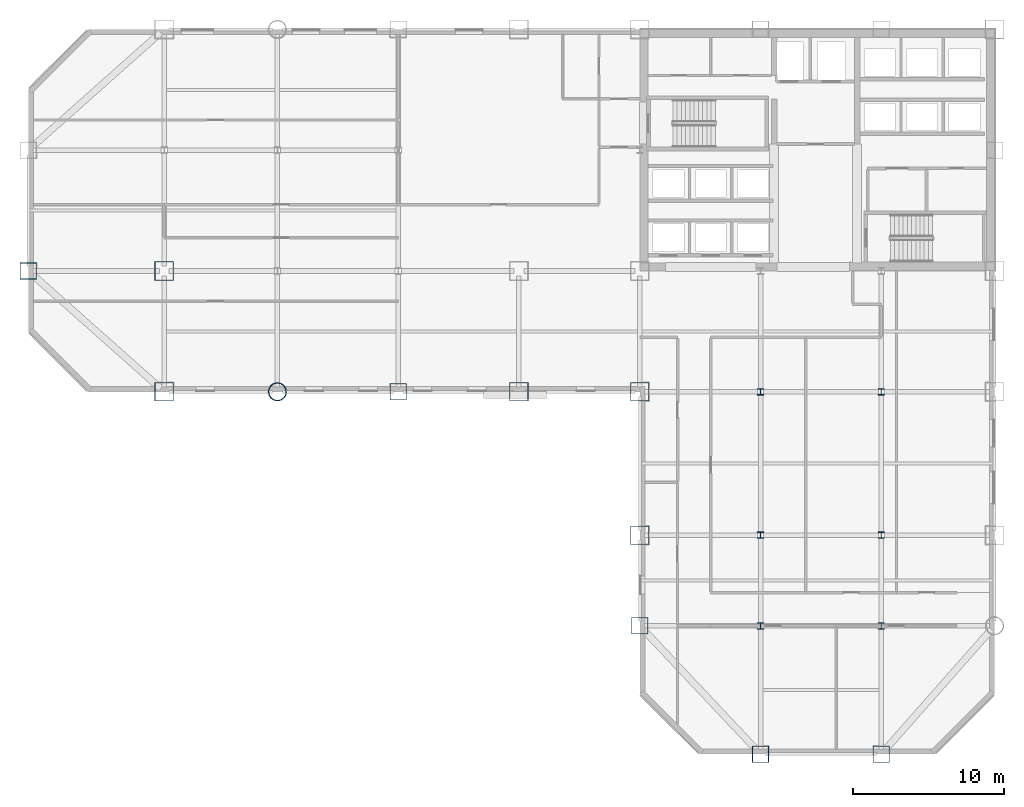
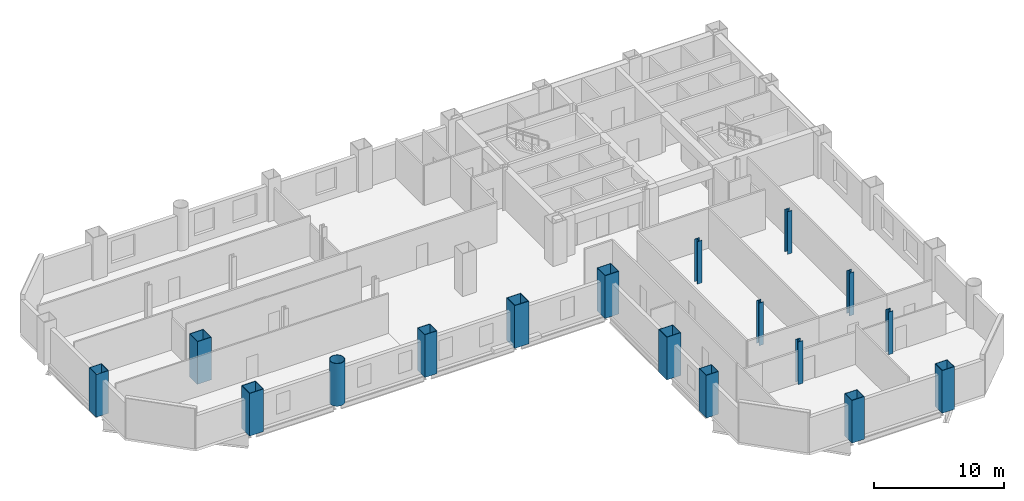
# One storey, part 1 of 9: 17 columns.
"""IFC4 building model written with IfcOpenShell, lengths in metres."""

from ifc_helpers import new_model, si_unit, direction, frame, origin, origin_2d, place, context, subcontext, project, spatial, hollow_rectangle, hollow_circle, i_section, extrude, material, material_profile, profile_set, type_object, element, save


model = new_model("IFC4")

# Units and contexts
model_context = context("Model", 3, precision=1e-05, world=origin(), true_north=direction((0.0, 1.0)))
body_context = subcontext(model_context, "Body", "Model", "MODEL_VIEW")
ifc_project = project(units=[si_unit("LENGTHUNIT", "METRE"), si_unit("AREAUNIT", "SQUARE_METRE"), si_unit("VOLUMEUNIT", "CUBIC_METRE"), si_unit("PLANEANGLEUNIT", "RADIAN"), si_unit("MASSUNIT", "GRAM", prefix="KILO")], contexts=[model_context])

# Site, building, storey
site_placement = place(None, origin())
site = spatial("IfcSite", under=ifc_project, at=site_placement, CompositionType="ELEMENT")
building_placement = place(site_placement, origin())
building = spatial("IfcBuilding", under=site, at=building_placement, Name="Qianrong Seaharbour Tower", CompositionType="ELEMENT")
storey_placement = place(building_placement, frame((0.0, 0.0, 68.199951171875)))
storey = spatial("IfcBuildingStorey", under=building, at=storey_placement, Name="L16", CompositionType="ELEMENT", Elevation=68.199951171875)

# Columns
ifc_material = material(Name="Structural steel SN490B", Category="steel")
ifc_material_profile_1 = material_profile(ifc_material, hollow_rectangle(XDim=1.25, YDim=1.25, WallThickness=0.044921875, at=origin_2d()), Name="BOX1250x1250x45")
ifc_profile_set_1 = profile_set([ifc_material_profile_1], Name="Structural steel SN490B")
column_type_1 = type_object("IfcColumnType", Name="COL-CFT-1250", PredefinedType="COLUMN", material=ifc_profile_set_1)
for number, where, z_axis, x_axis, name in (
    (1, (9.0, 28.0, 0.0), (0.0, 0.0, 1.0), (1.0, 0.0, 0.0), "L16 Column MC-2 at G2/GE"),
    (2, (9.0, 36.0, 0.0), (0.0, 0.0, 1.0), (1.0, 0.0, 0.0), "L16 Column MC-2 at G2/GF"),
    (3, (32.5, 28.0, 0.0), (0.0, 0.0, 1.0), (1.0, 0.0, 0.0), "L16 Column MC-2 at G5/GE"),
    (4, (40.5, 18.5, 0.0), (0.0, 0.0, 1.0), (1.0, 0.0, 0.0), "L16 Column MC-2 at G6/GD"),
    (5, (40.5, 28.0, 0.0), (0.0, 0.0, 1.0), (1.0, 0.0, 0.0), "L16 Column MC-2 at G6/GE"),
):
    element("IfcColumn", number, at=place(storey_placement, frame(where, z_axis=z_axis, x_axis=x_axis)), inside=storey, type_object=column_type_1, Name=name, PredefinedType="COLUMN", context=body_context, shape_type="SweptSolid", body=[
        extrude(hollow_rectangle(XDim=1.25, YDim=1.25, WallThickness=0.044921875, at=origin_2d()), origin(), (0.0, 0.0, 1.0), 4.0),
    ])
ifc_material_profile_2 = material_profile(ifc_material, hollow_circle(Radius=0.60009765625, WallThickness=0.0400390625, at=origin_2d()), Name="CHS1200x40")
ifc_profile_set_2 = profile_set([ifc_material_profile_2], Name="Structural steel SN490B")
column_type_2 = type_object("IfcColumnType", Name="COL-CHS-1200", PredefinedType="COLUMN", material=ifc_profile_set_2)
column_placement = place(storey_placement, frame((16.5, 28.0, 0.0), z_axis=(0.0, 0.0, 1.0), x_axis=(1.0, 0.0, 0.0)))
element("IfcColumn", 6, at=column_placement, inside=storey, type_object=column_type_2, Name="L16 Column CC-1 at G3/GE", PredefinedType="COLUMN", context=body_context, shape_type="SweptSolid", body=[
    extrude(hollow_circle(Radius=0.60009765625, WallThickness=0.0400390625, at=origin_2d()), origin(), (0.0, 0.0, 1.0), 4.0),
])
ifc_material_profile_3 = material_profile(ifc_material, i_section(OverallWidth=0.406982421875, OverallDepth=0.427978515625, WebThickness=0.02001953125, FlangeThickness=0.034912109375, FilletRadius=0.02197265625, at=origin_2d()), Name="H428x407x20x35")
ifc_profile_set_3 = profile_set([ifc_material_profile_3], Name="Structural steel SN490B")
column_type_3 = type_object("IfcColumnType", Name="COL-INT-H428", PredefinedType="COLUMN", material=ifc_profile_set_3)
for number, where, z_axis, x_axis, name in (
    (7, (48.5, 12.5, 0.0), (0.0, 0.0, 1.0), (1.0, 0.0, 0.0), "L16 Column IC-2 at G7/GC"),
    (8, (48.5, 18.5, 0.0), (0.0, 0.0, 1.0), (1.0, 0.0, 0.0), "L16 Column IC-2 at G7/GD"),
    (9, (48.5, 28.0, 0.0), (0.0, 0.0, 1.0), (1.0, 0.0, 0.0), "L16 Column IC-2 at G7/GE"),
    (10, (56.5, 12.5, 0.0), (0.0, 0.0, 1.0), (1.0, 0.0, 0.0), "L16 Column IC-2 at G8/GC"),
    (11, (56.5, 18.5, 0.0), (0.0, 0.0, 1.0), (1.0, 0.0, 0.0), "L16 Column IC-2 at G8/GD"),
    (12, (56.5, 28.0, 0.0), (0.0, 0.0, 1.0), (1.0, 0.0, 0.0), "L16 Column IC-2 at G8/GE"),
):
    element("IfcColumn", number, at=place(storey_placement, frame(where, z_axis=z_axis, x_axis=x_axis)), inside=storey, type_object=column_type_3, Name=name, PredefinedType="COLUMN", context=body_context, shape_type="SweptSolid", body=[
        extrude(i_section(OverallWidth=0.406982421875, OverallDepth=0.427978515625, WebThickness=0.02001953125, FlangeThickness=0.034912109375, FilletRadius=0.02197265625, at=origin_2d()), origin(), (0.0, 0.0, 1.0), 4.0),
    ])
ifc_material_profile_4 = material_profile(ifc_material, hollow_rectangle(XDim=1.10009765625, YDim=1.10009765625, WallThickness=0.0400390625, at=origin_2d()), Name="BOX1100x1100x40")
ifc_profile_set_4 = profile_set([ifc_material_profile_4], Name="Structural steel SN490B")
column_type_4 = type_object("IfcColumnType", Name="COL-PER-1100", PredefinedType="COLUMN", material=ifc_profile_set_4)
for number, where, z_axis, x_axis, name in (
    (13, (0.0, 36.0, 0.0), (0.0, 0.0, 1.0), (1.0, 0.0, 0.0), "L16 Column PC-1 at G1/GF"),
    (14, (24.5, 28.0, 0.0), (0.0, 0.0, 1.0), (1.0, 0.0, 0.0), "L16 Column PC-1 at G4/GE"),
    (15, (40.5, 12.5, 0.0), (0.0, 0.0, 1.0), (1.0, 0.0, 0.0), "L16 Column PC-1 at G6/GC"),
    (16, (48.5, 4.0, 0.0), (0.0, 0.0, 1.0), (1.0, 0.0, 0.0), "L16 Column PC-1 at G7/GB"),
    (17, (56.5, 4.0, 0.0), (0.0, 0.0, 1.0), (1.0, 0.0, 0.0), "L16 Column PC-1 at G8/GB"),
):
    element("IfcColumn", number, at=place(storey_placement, frame(where, z_axis=z_axis, x_axis=x_axis)), inside=storey, type_object=column_type_4, Name=name, PredefinedType="COLUMN", context=body_context, shape_type="SweptSolid", body=[
        extrude(hollow_rectangle(XDim=1.10009765625, YDim=1.10009765625, WallThickness=0.0400390625, at=origin_2d()), origin(), (0.0, 0.0, 1.0), 4.0),
    ])

save(model, "model.ifc")
